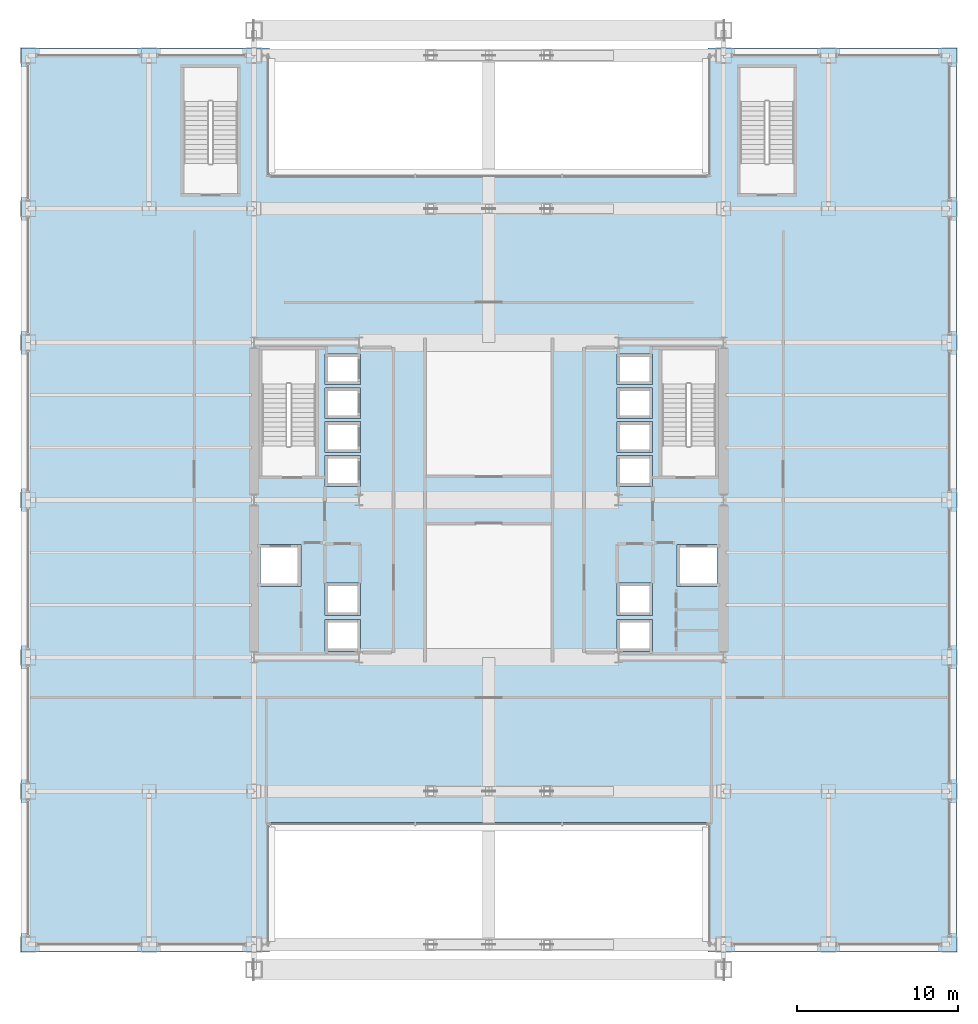
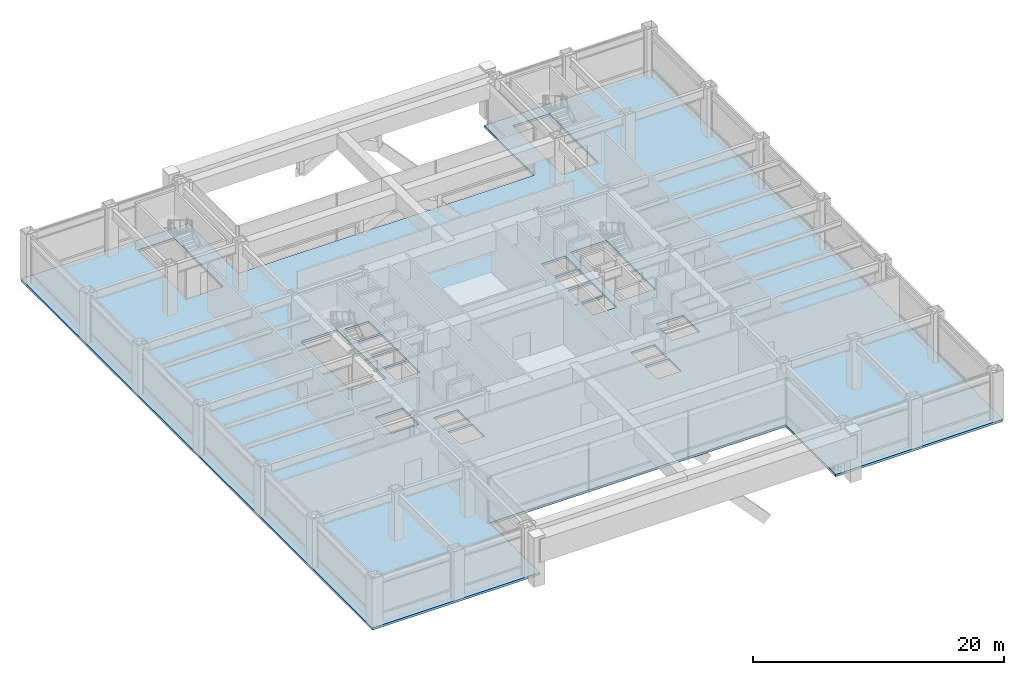
# One storey, part 26 of 37: 1 slab.
"""IFC4 building model written with IfcOpenShell, lengths in metres."""

from ifc_helpers import new_model, si_unit, direction, frame, origin, place, context, subcontext, project, spatial, polyline, outline, extrude, material, layer, layer_set, type_object, element, save


model = new_model("IFC4")

# Units and contexts
model_context = context("Model", 3, precision=1e-05, world=origin(), true_north=direction((0.0, 1.0)))
body_context = subcontext(model_context, "Body", "Model", "MODEL_VIEW")
ifc_project = project(units=[si_unit("LENGTHUNIT", "METRE"), si_unit("AREAUNIT", "SQUARE_METRE"), si_unit("VOLUMEUNIT", "CUBIC_METRE"), si_unit("PLANEANGLEUNIT", "RADIAN"), si_unit("MASSUNIT", "GRAM", prefix="KILO")], contexts=[model_context])

# Site, building, storey
site_placement = place(None, origin())
site = spatial("IfcSite", under=ifc_project, at=site_placement, CompositionType="ELEMENT")
building_placement = place(site_placement, origin())
building = spatial("IfcBuilding", under=site, at=building_placement, Name="Brelmoor Portico Tower", CompositionType="ELEMENT")
storey_placement = place(building_placement, frame((0.0, 0.0, 14.39990234375)))
storey = spatial("IfcBuildingStorey", under=building, at=storey_placement, Name="L03", CompositionType="ELEMENT", Elevation=14.39990234375)

# Slab
ifc_material = material(Name="Concrete C40", Category="concrete")
ifc_layer = layer(ifc_material, 0.219970703125)
ifc_layer_set = layer_set([ifc_layer], Name="Concrete C40")
slab_type = type_object("IfcSlabType", Name="SL-FLOOR-220", PredefinedType="FLOOR", material=ifc_layer_set)
slab_placement = place(storey_placement, frame((0.0, 0.0, -0.219970703125)))
element("IfcSlab", 1, at=slab_placement, inside=storey, type_object=slab_type, Name="L03 Main Structural Floor Slab", PredefinedType="FLOOR", context=body_context, shape_type="SweptSolid", body=[
    extrude(outline(polyline([(-29.0, -28.0), (-13.60009765625, -28.0), (-13.60009765625, -20.0), (13.60009765625, -20.0), (13.60009765625, -28.0), (29.0, -28.0), (29.0, 28.0), (13.60009765625, 28.0), (13.60009765625, 20.0), (-13.60009765625, 20.0), (-13.60009765625, 28.0), (-29.0, 28.0), (-29.0, -28.0)]), holes=[polyline([(-10.72998046875, 1.5), (-10.72998046875, 9.300048828125), (-14.050048828125, 9.300048828125), (-14.050048828125, 1.5), (-10.72998046875, 1.5)]), polyline([(14.050048828125, 1.5), (14.050048828125, 9.300048828125), (10.72998046875, 9.300048828125), (10.72998046875, 1.5), (14.050048828125, 1.5)]), polyline([(-15.580078125, 19.0), (-15.580078125, 26.800048828125), (-18.89990234375, 26.800048828125), (-18.89990234375, 19.0), (-15.580078125, 19.0)]), polyline([(18.89990234375, 19.0), (18.89990234375, 26.800048828125), (15.580078125, 26.800048828125), (15.580078125, 19.0), (18.89990234375, 19.0)]), polyline([(-10.14990234375, 0.85009765625), (-7.949951171875, 0.85009765625), (-7.949951171875, 2.75), (-10.14990234375, 2.75), (-10.14990234375, 0.85009765625)]), polyline([(-10.14990234375, 2.949951171875), (-7.949951171875, 2.949951171875), (-7.949951171875, 4.85009765625), (-10.14990234375, 4.85009765625), (-10.14990234375, 2.949951171875)]), polyline([(-10.14990234375, 5.050048828125), (-7.949951171875, 5.050048828125), (-7.949951171875, 6.949951171875), (-10.14990234375, 6.949951171875), (-10.14990234375, 5.050048828125)]), polyline([(-10.14990234375, 7.14990234375), (-7.949951171875, 7.14990234375), (-7.949951171875, 9.050048828125), (-10.14990234375, 9.050048828125), (-10.14990234375, 7.14990234375)]), polyline([(7.949951171875, 0.85009765625), (10.14990234375, 0.85009765625), (10.14990234375, 2.75), (7.949951171875, 2.75), (7.949951171875, 0.85009765625)]), polyline([(7.949951171875, 2.949951171875), (10.14990234375, 2.949951171875), (10.14990234375, 4.85009765625), (7.949951171875, 4.85009765625), (7.949951171875, 2.949951171875)]), polyline([(7.949951171875, 5.050048828125), (10.14990234375, 5.050048828125), (10.14990234375, 6.949951171875), (7.949951171875, 6.949951171875), (7.949951171875, 5.050048828125)]), polyline([(7.949951171875, 7.14990234375), (10.14990234375, 7.14990234375), (10.14990234375, 9.050048828125), (7.949951171875, 9.050048828125), (7.949951171875, 7.14990234375)]), polyline([(-10.14990234375, -9.39990234375), (-7.949951171875, -9.39990234375), (-7.949951171875, -7.39990234375), (-10.14990234375, -7.39990234375), (-10.14990234375, -9.39990234375)]), polyline([(-10.14990234375, -7.14990234375), (-7.949951171875, -7.14990234375), (-7.949951171875, -5.14990234375), (-10.14990234375, -5.14990234375), (-10.14990234375, -7.14990234375)]), polyline([(7.949951171875, -9.39990234375), (10.14990234375, -9.39990234375), (10.14990234375, -7.39990234375), (7.949951171875, -7.39990234375), (7.949951171875, -9.39990234375)]), polyline([(7.949951171875, -7.14990234375), (10.14990234375, -7.14990234375), (10.14990234375, -5.14990234375), (7.949951171875, -5.14990234375), (7.949951171875, -7.14990234375)]), polyline([(-14.14990234375, -5.35009765625), (-11.64990234375, -5.35009765625), (-11.64990234375, -2.75), (-14.14990234375, -2.75), (-14.14990234375, -5.35009765625)]), polyline([(11.64990234375, -5.35009765625), (14.14990234375, -5.35009765625), (14.14990234375, -2.75), (11.64990234375, -2.75), (11.64990234375, -5.35009765625)])]), origin(), (0.0, 0.0, 1.0), 0.219970703125),
])

save(model, "model.ifc")
